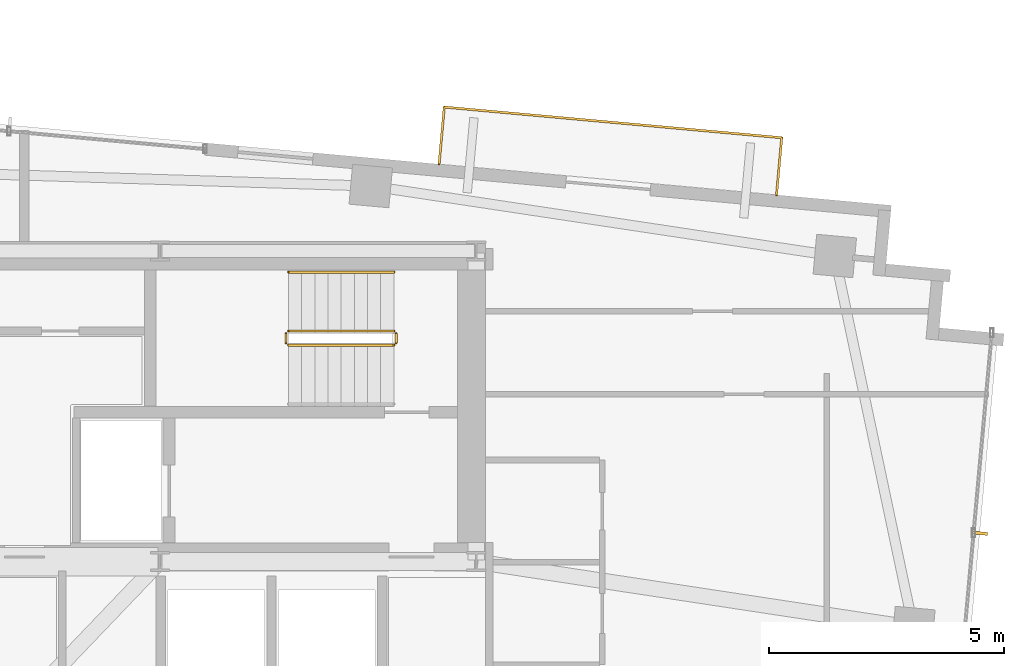
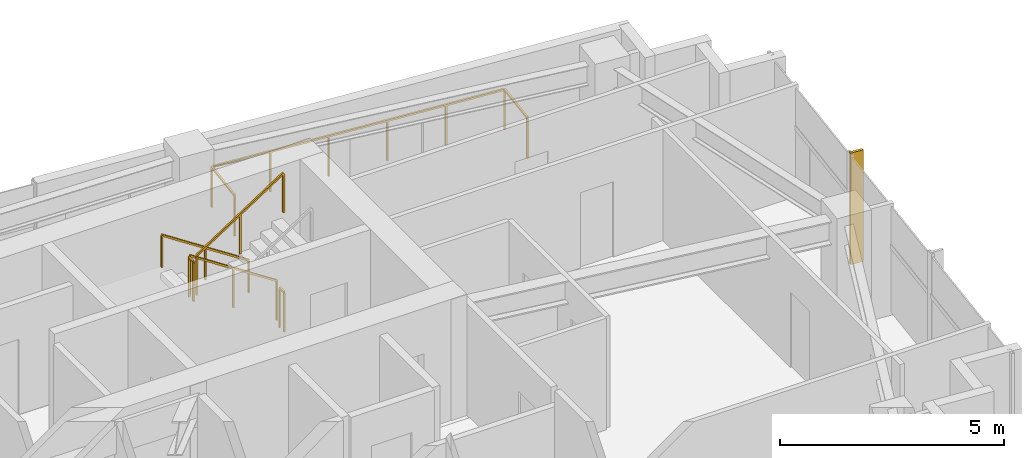
# One storey, part 22 of 22: 6 railings, 1 shading device.
"""IFC4 building model written with IfcOpenShell, lengths in metres."""

import ifcopenshell
import ifcopenshell.guid

model = None  # the IFC model being written
_history = None  # IfcOwnerHistory: only IFC2X3 demands one
_inside = {}  # id of a spatial element -> (the spatial element, [elements in it])
_under = {}  # id of a project, library or spatial element -> (it, [spatial elements below it])
_declared = {}  # id of a project -> (the project, [libraries it declares])
_typed = {}  # id of a type object -> (the type object, [elements of that type])
_made_of = {}  # id of a material, layer set ... -> (it, [elements and type objects made of it])


def new_model(schema):
    """Start an empty IFC model of exactly this schema.

    Asked for "IFC4X3", IfcOpenShell would pick the latest addendum, in which some entities
    have other attributes; the version numbers below select the first issue.
    IFC2X3 requires an IfcOwnerHistory on every rooted entity: one is made here for all.
    """
    global model, _history
    if schema == "IFC4X3":
        model = ifcopenshell.file(schema_version=(4, 3, 0, 0))
    else:
        model = ifcopenshell.file(schema=schema)
    _inside.clear()
    _under.clear()
    _declared.clear()
    _typed.clear()
    _made_of.clear()
    _history = None
    if model.schema == "IFC2X3":
        org = make("IfcOrganization", Name="unknown")
        user = make(
            "IfcPersonAndOrganization",
            ThePerson=make("IfcPerson", FamilyName="unknown"),
            TheOrganization=org,
        )
        app = make(
            "IfcApplication",
            ApplicationDeveloper=org,
            Version="unknown",
            ApplicationFullName="unknown",
            ApplicationIdentifier="unknown",
        )
        _history = make(
            "IfcOwnerHistory",
            OwningUser=user,
            OwningApplication=app,
            ChangeAction="ADDED",
            CreationDate=0,
        )
    return model


def make(cls, **values):
    """One entity of the class cls with the attributes given. An attribute that is None is left unset."""
    return model.create_entity(
        cls, **{name: value for name, value in values.items() if value is not None}
    )


def rooted(cls, **values):
    """An entity with a GlobalId (a new one), such as an element, a storey or a relation."""
    return make(cls, GlobalId=ifcopenshell.guid.new(), OwnerHistory=_history, **values)


def si_unit(unit_type, name, prefix=None):
    """IfcSIUnit, for example si_unit("LENGTHUNIT", "METRE", prefix="MILLI")."""
    return make("IfcSIUnit", UnitType=unit_type, Prefix=prefix, Name=name)


def assignment(units):
    """IfcUnitAssignment: the units of a project."""
    return None if units is None else make("IfcUnitAssignment", Units=units)


def point(xyz):
    """IfcCartesianPoint."""
    return None if xyz is None else make("IfcCartesianPoint", Coordinates=xyz)


def direction(xyz):
    """IfcDirection."""
    return None if xyz is None else make("IfcDirection", DirectionRatios=xyz)


def frame(location, z_axis=None, x_axis=None):
    """IfcAxis2Placement3D, a coordinate frame: its origin and axes. An axis left out is left unset."""
    return make(
        "IfcAxis2Placement3D",
        Location=point(location),
        Axis=direction(z_axis),
        RefDirection=direction(x_axis),
    )


def frame_2d(location, x_axis=None):
    """IfcAxis2Placement2D, a coordinate frame in the plane: its origin and x axis."""
    return make(
        "IfcAxis2Placement2D", Location=point(location), RefDirection=direction(x_axis)
    )


def origin():
    """The frame at (0, 0, 0) with its axes left unset."""
    return frame((0.0, 0.0, 0.0))


def origin_2d():
    """The frame at (0, 0) in the plane with its x axis left unset."""
    return frame_2d((0.0, 0.0))


def place(relative_to, where):
    """IfcLocalPlacement: puts the frame where relative to a parent placement (None: the world)."""
    return make(
        "IfcLocalPlacement", PlacementRelTo=relative_to, RelativePlacement=where
    )


def context(
    kind, dimensions, precision=None, world=None, true_north=None, identifier=None
):
    """IfcGeometricRepresentationContext, for example the 3D "Model" context."""
    return make(
        "IfcGeometricRepresentationContext",
        ContextIdentifier=identifier,
        ContextType=kind,
        CoordinateSpaceDimension=dimensions,
        Precision=precision,
        WorldCoordinateSystem=world,
        TrueNorth=true_north,
    )


def subcontext(parent, identifier, kind, view, scale=None):
    """IfcGeometricRepresentationSubContext, for example "Body" below "Model"."""
    return make(
        "IfcGeometricRepresentationSubContext",
        ContextIdentifier=identifier,
        ContextType=kind,
        ParentContext=parent,
        TargetScale=scale,
        TargetView=view,
    )


def project(units=None, contexts=None):
    """IfcProject with its units and contexts."""
    return rooted(
        "IfcProject",
        Name="project",
        RepresentationContexts=contexts,
        UnitsInContext=assignment(units),
    )


def spatial(cls, under=None, at=None, **own):
    """A site, building, storey or space (cls), placed at a placement, below another one or the project."""
    s = rooted(cls, ObjectPlacement=at, **own)
    if under is not None:
        _under.setdefault(under.id(), (under, []))[1].append(s)
    return s


def profile(cls, at=None, kind="AREA", **sizes):
    """A parametric profile (cls). Its sizes go by their IFC names, for example OverallWidth=200.0."""
    return make(cls, ProfileType=kind, Position=at, **sizes)


def rectangle(**sizes):
    """IfcRectangleProfileDef."""
    return profile("IfcRectangleProfileDef", **sizes)


def extrude(swept, where, along, depth):
    """IfcExtrudedAreaSolid: the profile swept, set in the frame where, extruded along a direction by depth."""
    return make(
        "IfcExtrudedAreaSolid",
        SweptArea=swept,
        Position=where,
        ExtrudedDirection=direction(along),
        Depth=depth,
    )


def shape(context_of_items, identifier, shape_type, items):
    """IfcShapeRepresentation: the items that make up one representation, for example the "Body"."""
    return make(
        "IfcShapeRepresentation",
        ContextOfItems=context_of_items,
        RepresentationIdentifier=identifier,
        RepresentationType=shape_type,
        Items=items,
    )


def source(mapping_origin, context_of_items, identifier, shape_type, items):
    """IfcRepresentationMap: a shape defined once, which mapped items show again and again."""
    return make(
        "IfcRepresentationMap",
        MappingOrigin=mapping_origin,
        MappedRepresentation=shape(context_of_items, identifier, shape_type, items),
    )


def transform(
    local_origin,
    x_axis=None,
    y_axis=None,
    z_axis=None,
    scale=None,
    scale2=None,
    scale3=None,
    uniform=True,
):
    """IfcCartesianTransformationOperator3D, or its non-uniform kind. x_axis, y_axis, z_axis: its Axis1, 2, 3."""
    if uniform:
        return make(
            "IfcCartesianTransformationOperator3D",
            Axis1=direction(x_axis),
            Axis2=direction(y_axis),
            LocalOrigin=point(local_origin),
            Scale=scale,
            Axis3=direction(z_axis),
        )
    return make(
        "IfcCartesianTransformationOperator3DnonUniform",
        Axis1=direction(x_axis),
        Axis2=direction(y_axis),
        LocalOrigin=point(local_origin),
        Scale=scale,
        Axis3=direction(z_axis),
        Scale2=scale2,
        Scale3=scale3,
    )


def mapped(mapping_source, mapping_target):
    """IfcMappedItem: shows the shape of a source again, moved by a transform."""
    return make(
        "IfcMappedItem", MappingSource=mapping_source, MappingTarget=mapping_target
    )


def material(Name=None, Category=None):
    """IfcMaterial."""
    return make("IfcMaterial", Name=Name, Category=Category)


def made_of(thing, what):
    """Note that an element or type object is made of a material, layer set ...; save() writes the relation."""
    if what is not None:
        _made_of.setdefault(what.id(), (what, []))[1].append(thing)
    return thing


def type_object(cls, material=None, **own):
    """A type object (cls), such as IfcWallType, which elements share."""
    return made_of(rooted(cls, **own), material)


def type_shapes(of_type, sources):
    """Give a type object the sources (RepresentationMaps) that its elements show as mapped items."""
    of_type.RepresentationMaps = sources


def element(
    cls,
    number,
    at=None,
    inside=None,
    cuts=None,
    type_object=None,
    material=None,
    context=None,
    identifier="Body",
    shape_type=None,
    held_by="IfcProductDefinitionShape",
    body=None,
    shapes=None,
    **own,
):
    """One element of the class cls, such as IfcWall. Its Tag is "e" and its number.

    at: its placement. inside: the storey or other place that contains it. cuts: it is an
    opening in that element (IfcRelVoidsElement). A single representation is given by context,
    identifier, shape_type and body (its items); several are given by shapes. held_by: the class
    of the entity that holds the representations. save() writes the other relations.
    """
    e = rooted(cls, Tag="e%d" % number, ObjectPlacement=at, **own)
    if body is not None:
        shapes = [shape(context, identifier, shape_type, body)]
    if shapes is not None:
        e.Representation = make(held_by, Representations=shapes)
    if inside is not None:
        _inside.setdefault(inside.id(), (inside, []))[1].append(e)
    if cuts is not None:
        rooted(
            "IfcRelVoidsElement", RelatingBuildingElement=cuts, RelatedOpeningElement=e
        )
    if type_object is not None:
        _typed.setdefault(type_object.id(), (type_object, []))[1].append(e)
    return made_of(e, material)


def aggregate(whole, parts):
    """IfcRelAggregates: a whole, such as a stair, and the parts it consists of."""
    return rooted("IfcRelAggregates", RelatingObject=whole, RelatedObjects=parts)


def save(model, path):
    """Write the relations noted so far, then the file.

    IfcRelAggregates (storeys below a building ...), IfcRelContainedInSpatialStructure (elements
    in a storey), IfcRelDefinesByType, IfcRelAssociatesMaterial and IfcRelDeclares: one each for
    every whole, place, type object, material and project.
    """
    for whole, parts in _under.values():
        aggregate(whole, parts)
    for where, things in _inside.values():
        rooted(
            "IfcRelContainedInSpatialStructure",
            RelatedElements=things,
            RelatingStructure=where,
        )
    for kind, things in _typed.values():
        rooted("IfcRelDefinesByType", RelatedObjects=things, RelatingType=kind)
    for what, things in _made_of.values():
        rooted("IfcRelAssociatesMaterial", RelatedObjects=things, RelatingMaterial=what)
    for by, libraries in _declared.values():
        rooted("IfcRelDeclares", RelatingContext=by, RelatedDefinitions=libraries)
    model.write(path)


model = new_model("IFC4")

# Units and contexts
model_context = context("Model", 3, precision=1e-05, world=origin(), true_north=direction((0.0, 1.0)))
body_context = subcontext(model_context, "Body", "Model", "MODEL_VIEW")
ifc_project = project(units=[si_unit("LENGTHUNIT", "METRE"), si_unit("AREAUNIT", "SQUARE_METRE"), si_unit("VOLUMEUNIT", "CUBIC_METRE"), si_unit("PLANEANGLEUNIT", "RADIAN"), si_unit("MASSUNIT", "GRAM", prefix="KILO")], contexts=[model_context])

# Site, building, storey
site_placement = place(None, origin())
site = spatial("IfcSite", under=ifc_project, at=site_placement, CompositionType="ELEMENT")
building_placement = place(site_placement, origin())
building = spatial("IfcBuilding", under=site, at=building_placement, Name="Astriad Promenade Condominiums", CompositionType="ELEMENT")
storey_placement = place(building_placement, frame((0.0, 0.0, 226.5)))
storey = spatial("IfcBuildingStorey", under=building, at=storey_placement, Name="L65", CompositionType="ELEMENT", Elevation=226.5)

# Shading device
ifc_material_1 = material(Name="Anodised aluminium 6063-T6 Black Fin", Category="aluminium")
shading_device_type = type_object("IfcShadingDeviceType", Name="FIN-BLACK-260", PredefinedType="USERDEFINED", material=ifc_material_1)
shared_shape_1 = source(origin(), body_context, "Body", "SweptSolid", [
    extrude(rectangle(XDim=0.06494140625, YDim=0.320068359375, at=origin_2d()), origin(), (0.0, 0.0, 1.0), 3.0400390625),
])
type_shapes(shading_device_type, [shared_shape_1])
shading_device_placement = place(storey_placement, frame((56.306884765625, 18.0029296875, 0.0), z_axis=(0.0, 0.0, 1.0), x_axis=(-0.090632580198, -0.995884398616, 0.0)))
element("IfcShadingDevice", 1, at=shading_device_placement, inside=storey, type_object=shading_device_type, Name="CW-L65-E-FIN-01", ObjectType="FIN", PredefinedType="USERDEFINED", context=body_context, shape_type="MappedRepresentation", body=[
    mapped(shared_shape_1, transform((0.0, 0.0, 0.0), scale=1.0)),
])

# Railings
ifc_material_2 = material(Name="Laminated Glass and Stainless Steel Balustrade", Category="steel")
railing_type_1 = type_object("IfcRailingType", Name="GRD-BALC-1120", PredefinedType="BALUSTRADE", material=ifc_material_2)
shared_shape_2 = source(origin(), body_context, "Body", "SweptSolid", [
    extrude(rectangle(XDim=0.048095703125, YDim=0.048095703125, at=origin_2d()), frame((0.0, 0.0, 1.09619140625), z_axis=(0.09066206129, 0.995881715186, 0.0), x_axis=(-0.995881715186, 0.09066206129, 0.0)), (0.0, 0.0, 1.0), 1.219970703125),
    extrude(rectangle(XDim=0.048095703125, YDim=0.048095703125, at=origin_2d()), frame((0.110595703125, 1.21484375, 1.09619140625), z_axis=(-0.995885143463, 0.090624395332, 0.0), x_axis=(-0.090624395332, -0.995885143463, 0.0)), (0.0, 0.0, 1.0), 7.200927734375),
    extrude(rectangle(XDim=0.048095703125, YDim=0.048095703125, at=origin_2d()), frame((-7.060791015625, 1.867431640625, 1.09619140625), z_axis=(-0.09066206129, -0.995881715186, 0.0), x_axis=(0.995881715186, -0.09066206129, 0.0)), (0.0, 0.0, 1.0), 1.219970703125),
    extrude(rectangle(XDim=0.0419921875, YDim=0.0419921875, at=origin_2d()), origin(), (0.0, 0.0, 1.0), 1.072021484375),
    extrude(rectangle(XDim=0.0419921875, YDim=0.0419921875, at=origin_2d()), frame((0.110595703125, 1.21484375, 0.0)), (0.0, 0.0, 1.0), 1.072021484375),
    extrude(rectangle(XDim=0.0419921875, YDim=0.0419921875, at=origin_2d()), frame((-1.32373046875, 1.345458984375, 0.0)), (0.0, 0.0, 1.0), 1.072021484375),
    extrude(rectangle(XDim=0.0419921875, YDim=0.0419921875, at=origin_2d()), frame((-2.758056640625, 1.475830078125, 0.0)), (0.0, 0.0, 1.0), 1.072021484375),
    extrude(rectangle(XDim=0.0419921875, YDim=0.0419921875, at=origin_2d()), frame((-4.192138671875, 1.6064453125, 0.0)), (0.0, 0.0, 1.0), 1.072021484375),
    extrude(rectangle(XDim=0.0419921875, YDim=0.0419921875, at=origin_2d()), frame((-5.62646484375, 1.73681640625, 0.0)), (0.0, 0.0, 1.0), 1.072021484375),
    extrude(rectangle(XDim=0.0419921875, YDim=0.0419921875, at=origin_2d()), frame((-7.060791015625, 1.867431640625, 0.0)), (0.0, 0.0, 1.0), 1.072021484375),
    extrude(rectangle(XDim=0.0419921875, YDim=0.0419921875, at=origin_2d()), frame((-7.17138671875, 0.652587890625, 0.0)), (0.0, 0.0, 1.0), 1.072021484375),
])
type_shapes(railing_type_1, [shared_shape_2])
railing_1_placement = place(storey_placement, frame((51.981689453125, 25.191162109375, 0.0)))
element("IfcRailing", 2, at=railing_1_placement, inside=storey, type_object=railing_type_1, Name="GRD-BALC-L65-NE", PredefinedType="BALUSTRADE", context=body_context, shape_type="MappedRepresentation", body=[
    mapped(shared_shape_2, transform((0.0, 0.0, 0.0), scale=1.0)),
])
ifc_material_3 = material(Name="Painted Galvanised Steel Guardrail", Category="steel")
railing_type_2 = type_object("IfcRailingType", Name="GRD-STAIR-1100", PredefinedType="GUARDRAIL", material=ifc_material_3)
shared_shape_3 = source(origin(), body_context, "Body", "SweptSolid", [
    extrude(rectangle(XDim=0.048095703125, YDim=0.048095703125, at=origin_2d()), frame((0.0, 0.0, 1.076171875), z_axis=(-0.836636935527, 0.0, 0.547757827979), x_axis=(0.0, -1.0, 0.0)), (0.0, 0.0, 1.0), 2.677490234375),
    extrude(rectangle(XDim=0.0419921875, YDim=0.0419921875, at=origin_2d()), origin(), (0.0, 0.0, 1.0), 1.052001953125),
    extrude(rectangle(XDim=0.0419921875, YDim=0.0419921875, at=origin_2d()), frame((-1.1201171875, 0.0, 0.7333984375)), (0.0, 0.0, 1.0), 1.052001953125),
    extrude(rectangle(XDim=0.0419921875, YDim=0.0419921875, at=origin_2d()), frame((-2.239990234375, 0.0, 1.466552734375)), (0.0, 0.0, 1.0), 1.052001953125),
])
railing_2_placement = place(storey_placement, frame((43.85009765625, 22.300048828125, 0.183349609375)))
element("IfcRailing", 3, at=railing_2_placement, inside=storey, type_object=railing_type_2, Name="L65 ST-2 stair guard 1", PredefinedType="GUARDRAIL", context=body_context, shape_type="MappedRepresentation", body=[
    mapped(shared_shape_3, transform((0.0, 0.0, 0.0), scale=1.0)),
])
ifc_material_4 = material(Name="Brushed Stainless Steel Handrail", Category="steel")
railing_type_3 = type_object("IfcRailingType", Name="HRL-STAIR-920", PredefinedType="HANDRAIL", material=ifc_material_4)
shared_shape_4 = source(origin(), body_context, "Body", "SweptSolid", [
    extrude(rectangle(XDim=0.048095703125, YDim=0.048095703125, at=origin_2d()), frame((0.0, 0.0, 0.8759765625), z_axis=(-0.836636935527, 0.0, 0.547757827979), x_axis=(0.0, -1.0, 0.0)), (0.0, 0.0, 1.0), 2.677490234375),
    extrude(rectangle(XDim=0.0419921875, YDim=0.0419921875, at=origin_2d()), origin(), (0.0, 0.0, 1.0), 0.851806640625),
    extrude(rectangle(XDim=0.0419921875, YDim=0.0419921875, at=origin_2d()), frame((-1.1201171875, 0.0, 0.7333984375)), (0.0, 0.0, 1.0), 0.851806640625),
    extrude(rectangle(XDim=0.0419921875, YDim=0.0419921875, at=origin_2d()), frame((-2.239990234375, 0.0, 1.466552734375)), (0.0, 0.0, 1.0), 0.851806640625),
])
type_shapes(railing_type_3, [shared_shape_4])
railing_3_placement = place(storey_placement, frame((43.85009765625, 23.550048828125, 0.183349609375)))
element("IfcRailing", 4, at=railing_3_placement, inside=storey, type_object=railing_type_3, Name="L65 ST-2 stair handrail 1", PredefinedType="HANDRAIL", context=body_context, shape_type="MappedRepresentation", body=[
    mapped(shared_shape_4, transform((0.0, 0.0, 0.0), scale=1.0)),
])
shared_shape_5 = source(origin(), body_context, "Body", "SweptSolid", [
    extrude(rectangle(XDim=0.048095703125, YDim=0.048095703125, at=origin_2d()), frame((0.0, 0.0, 1.076171875), z_axis=(0.836595146698, 0.0, 0.547821650285), x_axis=(0.0, 1.0, 0.0)), (0.0, 0.0, 1.0), 2.677490234375),
    extrude(rectangle(XDim=0.0419921875, YDim=0.0419921875, at=origin_2d()), origin(), (0.0, 0.0, 1.0), 1.052001953125),
    extrude(rectangle(XDim=0.0419921875, YDim=0.0419921875, at=origin_2d()), frame((1.1201171875, 0.0, 0.7333984375)), (0.0, 0.0, 1.0), 1.052001953125),
    extrude(rectangle(XDim=0.0419921875, YDim=0.0419921875, at=origin_2d()), frame((2.239990234375, 0.0, 1.466796875)), (0.0, 0.0, 1.0), 1.052001953125),
])
railing_4_placement = place(storey_placement, frame((41.610107421875, 22.0, 1.833251953125)))
element("IfcRailing", 5, at=railing_4_placement, inside=storey, type_object=railing_type_2, Name="L65 ST-2 stair guard 3", PredefinedType="GUARDRAIL", context=body_context, shape_type="MappedRepresentation", body=[
    mapped(shared_shape_5, transform((0.0, 0.0, 0.0), scale=1.0)),
])
shared_shape_6 = source(origin(), body_context, "Body", "SweptSolid", [
    extrude(rectangle(XDim=0.048095703125, YDim=0.048095703125, at=origin_2d()), frame((0.0, 0.0, 1.076171875), z_axis=(0.0, -1.0, 0.0), x_axis=(1.0, 0.0, 0.0)), (0.0, 0.0, 1.0), 0.199951171875),
    extrude(rectangle(XDim=0.0419921875, YDim=0.0419921875, at=origin_2d()), origin(), (0.0, 0.0, 1.0), 1.052001953125),
    extrude(rectangle(XDim=0.0419921875, YDim=0.0419921875, at=origin_2d()), frame((0.0, -0.199951171875, 0.0)), (0.0, 0.0, 1.0), 1.052001953125),
])
type_shapes(railing_type_2, [shared_shape_3, shared_shape_5, shared_shape_6])
for number, where, name in (
    (6, (41.56005859375, 22.25, 1.64990234375), "L65 ST-2 stair guard 2"),
    (7, (43.89990234375, 22.25, 0.0), "L65 ST-2 stair guard 4"),
):
    element("IfcRailing", number, at=place(storey_placement, frame(where)), inside=storey, type_object=railing_type_2, Name=name, PredefinedType="GUARDRAIL", context=body_context, shape_type="MappedRepresentation", body=[
        mapped(shared_shape_6, transform((0.0, 0.0, 0.0), scale=1.0)),
    ])

save(model, "model.ifc")
